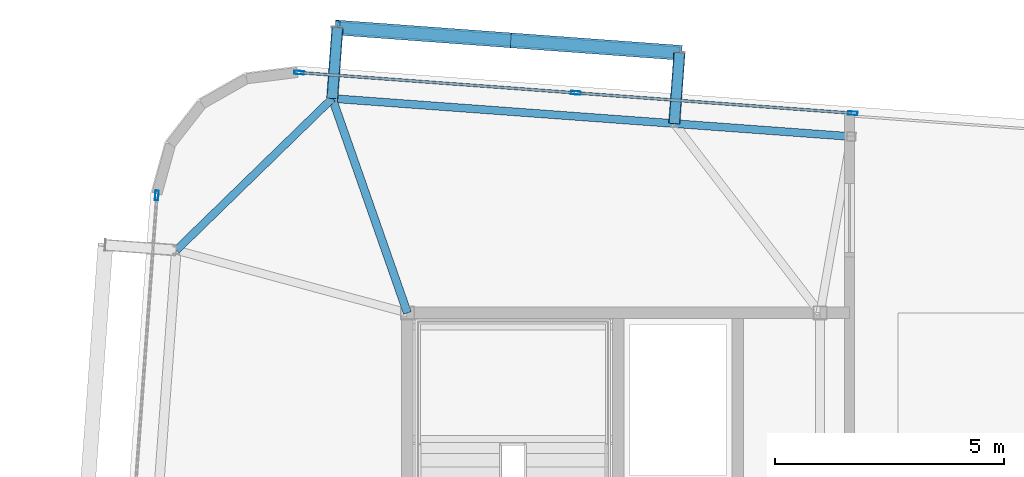
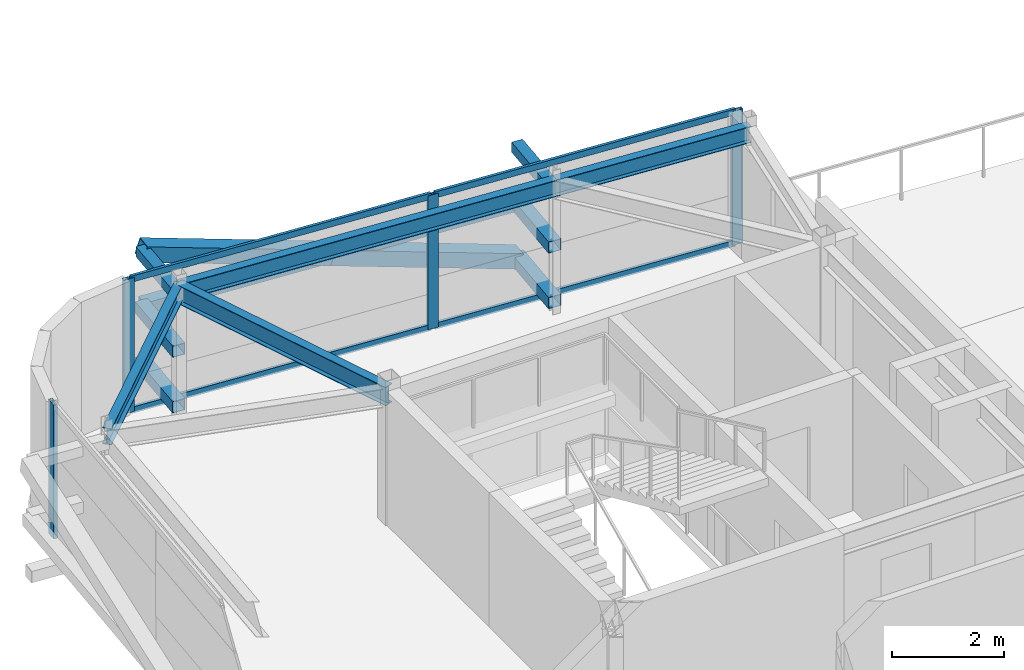
# One storey, part 21 of 36: 17 members, 4 beams, 2 elements without a shape of their own.
"""IFC4 building model written with IfcOpenShell, lengths in metres."""

from ifc_helpers import new_model, si_unit, direction, frame, origin, origin_2d, place, context, subcontext, project, spatial, hollow_rectangle, i_section, extrude, source, transform, mapped, material, layer, layer_set, material_profile, profile_set, type_object, element, aggregate, save


model = new_model("IFC4")

# Units and contexts
model_context = context("Model", 3, precision=1e-05, world=origin(), true_north=direction((0.0, 1.0)))
body_context = subcontext(model_context, "Body", "Model", "MODEL_VIEW")
ifc_project = project(units=[si_unit("LENGTHUNIT", "METRE"), si_unit("AREAUNIT", "SQUARE_METRE"), si_unit("VOLUMEUNIT", "CUBIC_METRE"), si_unit("PLANEANGLEUNIT", "RADIAN"), si_unit("MASSUNIT", "GRAM", prefix="KILO")], contexts=[model_context])

# Site, building, storey
site_placement = place(None, origin())
site = spatial("IfcSite", under=ifc_project, at=site_placement, CompositionType="ELEMENT")
building_placement = place(site_placement, origin())
building = spatial("IfcBuilding", under=site, at=building_placement, Name="Taldren Reach Tower", CompositionType="ELEMENT")
storey_placement = place(building_placement, frame((0.0, 0.0, 227.14990234375)))
storey = spatial("IfcBuildingStorey", under=building, at=storey_placement, Name="L69", CompositionType="ELEMENT", Elevation=227.14990234375)

# Members
ifc_material_1 = material(Name="Steel Gr 350 (C350L0)", Category="steel")
ifc_material_profile_1 = material_profile(ifc_material_1, hollow_rectangle(XDim=0.25, YDim=0.25, WallThickness=0.010009765625, at=origin_2d()), Name="250x250x10.0SHS")
ifc_profile_set_1 = profile_set([ifc_material_profile_1], Name="Steel Gr 350 (C350L0)")
member_type_1 = type_object("IfcMemberType", Name="MB-POST250", PredefinedType="POST", material=ifc_profile_set_1)
shared_shape_1 = source(origin(), body_context, "Body", "SweptSolid", [
    extrude(hollow_rectangle(XDim=0.25, YDim=0.25, WallThickness=0.010009765625, at=origin_2d()), origin(), (0.0, 0.0, 1.0), 1.5498046875),
])
for number, where, z_axis, x_axis, name in (
    (1, (17.35986328125, 36.678955078125, 0.22021484375), (0.073250797913, 0.997313551801, 0.0), (-0.997313551801, 0.073250797913, 0.0), "Exoskeleton base diaphragm tie strut B5-N1 L69"),
    (2, (17.35986328125, 36.678955078125, 1.43505859375), (0.073250797913, 0.997313551801, 0.0), (-0.997313551801, 0.073250797913, 0.0), "Exoskeleton mid-tier diaphragm tie B5-N1 L69"),
):
    element("IfcMember", number, at=place(storey_placement, frame(where, z_axis=z_axis, x_axis=x_axis)), inside=storey, type_object=member_type_1, Name=name, PredefinedType="POST", context=body_context, shape_type="MappedRepresentation", body=[
        mapped(shared_shape_1, transform((0.0, 0.0, 0.0), scale=1.0)),
    ])
shared_shape_2 = source(origin(), body_context, "Body", "SweptSolid", [
    extrude(hollow_rectangle(XDim=0.25, YDim=0.25, WallThickness=0.010009765625, at=origin_2d()), origin(), (0.0, 0.0, 1.0), 1.550048828125),
])
for number, where, z_axis, x_axis, name in (
    (3, (24.819580078125, 36.131103515625, 0.22021484375), (0.07323929162, 0.997314396849, 0.0), (-0.997314396849, 0.07323929162, 0.0), "Exoskeleton base diaphragm tie strut B5-N2 L69"),
    (4, (24.819580078125, 36.131103515625, 1.43505859375), (0.07323929162, 0.997314396849, 0.0), (-0.997314396849, 0.07323929162, 0.0), "Exoskeleton mid-tier diaphragm tie B5-N2 L69"),
):
    element("IfcMember", number, at=place(storey_placement, frame(where, z_axis=z_axis, x_axis=x_axis)), inside=storey, type_object=member_type_1, Name=name, PredefinedType="POST", context=body_context, shape_type="MappedRepresentation", body=[
        mapped(shared_shape_2, transform((0.0, 0.0, 0.0), scale=1.0)),
    ])
ifc_material_2 = material(Name="Steel Gr 450 (C450L0)", Category="steel")
ifc_material_profile_2 = material_profile(ifc_material_2, hollow_rectangle(XDim=0.219970703125, YDim=0.219970703125, WallThickness=0.00830078125, at=origin_2d()), Name="220x220x8.2SHS")
ifc_profile_set_2 = profile_set([ifc_material_profile_2], Name="Steel Gr 450 (C450L0)")
member_type_2 = type_object("IfcMemberType", Name="MB-TIE219", PredefinedType="STRUT", material=ifc_profile_set_2)
shared_shape_3 = source(origin(), body_context, "Body", "SweptSolid", [
    extrude(hollow_rectangle(XDim=0.219970703125, YDim=0.219970703125, WallThickness=0.00830078125, at=origin_2d()), origin(), (0.0, 0.0, 1.0), 1.5498046875),
])
member_1_placement = place(storey_placement, frame((17.35986328125, 36.678955078125, 2.650146484375), z_axis=(0.073250797913, 0.997313551801, 0.0), x_axis=(-0.997313551801, 0.073250797913, 0.0)))
element("IfcMember", 5, at=member_1_placement, inside=storey, type_object=member_type_2, Name="Exoskeleton diaphragm tie strut B5-N1 L69", PredefinedType="STRUT", context=body_context, shape_type="MappedRepresentation", body=[
    mapped(shared_shape_3, transform((0.0, 0.0, 0.0), scale=1.0)),
])
shared_shape_4 = source(origin(), body_context, "Body", "SweptSolid", [
    extrude(hollow_rectangle(XDim=0.219970703125, YDim=0.219970703125, WallThickness=0.00830078125, at=origin_2d()), origin(), (0.0, 0.0, 1.0), 1.550048828125),
])
member_2_placement = place(storey_placement, frame((24.819580078125, 36.131103515625, 2.650146484375), z_axis=(0.07323929162, 0.997314396849, 0.0), x_axis=(-0.997314396849, 0.07323929162, 0.0)))
element("IfcMember", 6, at=member_2_placement, inside=storey, type_object=member_type_2, Name="Exoskeleton diaphragm tie strut B5-N2 L69", PredefinedType="STRUT", context=body_context, shape_type="MappedRepresentation", body=[
    mapped(shared_shape_4, transform((0.0, 0.0, 0.0), scale=1.0)),
])

# Beams
ifc_material_3 = material(Name="Steel Gr 350 (350PLUS)", Category="steel")
ifc_material_profile_3 = material_profile(ifc_material_3, i_section(OverallWidth=0.172119140625, OverallDepth=0.35888671875, WebThickness=0.008056640625, FlangeThickness=0.012939453125, at=origin_2d()), Name="360UB56.7")
ifc_profile_set_3 = profile_set([ifc_material_profile_3], Name="Steel Gr 350 (350PLUS)")
beam_type_1 = type_object("IfcBeamType", Name="SP-UB360", PredefinedType="SPANDREL", material=ifc_profile_set_3)
shared_shape_5 = source(origin(), body_context, "Body", "SweptSolid", [
    extrude(i_section(OverallWidth=0.172119140625, OverallDepth=0.35888671875, WebThickness=0.008056640625, FlangeThickness=0.012939453125, at=origin_2d()), origin(), (0.0, 0.0, 1.0), 7.479736328125),
])
beam_1_placement = place(storey_placement, frame((24.819580078125, 36.131103515625, 2.75048828125), z_axis=(-0.997314045547, 0.073244075215, 0.0), x_axis=(-0.073244075215, -0.997314045547, 0.0)))
element("IfcBeam", 7, at=beam_1_placement, inside=storey, type_object=beam_type_1, Name="Perimeter spandrel B5 N2-N1 L69", PredefinedType="SPANDREL", context=body_context, shape_type="MappedRepresentation", body=[
    mapped(shared_shape_5, transform((0.0, 0.0, 0.0), scale=1.0)),
])
shared_shape_6 = source(origin(), body_context, "Body", "SweptSolid", [
    extrude(i_section(OverallWidth=0.172119140625, OverallDepth=0.35888671875, WebThickness=0.008056640625, FlangeThickness=0.012939453125, at=origin_2d()), origin(), (0.0, 0.0, 1.0), 4.74609375),
])
beam_2_placement = place(storey_placement, frame((17.35986328125, 36.678955078125, 2.75048828125), z_axis=(-0.716711338436, -0.697369957309, 0.0), x_axis=(0.697369957309, -0.716711338436, 0.0)))
element("IfcBeam", 8, at=beam_2_placement, inside=storey, type_object=beam_type_1, Name="Perimeter spandrel B5 N1-W3 L69", PredefinedType="SPANDREL", context=body_context, shape_type="MappedRepresentation", body=[
    mapped(shared_shape_6, transform((0.0, 0.0, 0.0), scale=1.0)),
])
shared_shape_7 = source(origin(), body_context, "Body", "SweptSolid", [
    extrude(i_section(OverallWidth=0.172119140625, OverallDepth=0.35888671875, WebThickness=0.008056640625, FlangeThickness=0.012939453125, at=origin_2d()), origin(), (0.0, 0.0, 1.0), 3.8701171875),
])
beam_3_placement = place(storey_placement, frame((28.67919921875, 35.84765625, 2.75048828125), z_axis=(-0.997314202545, 0.073241937451, 0.0), x_axis=(-0.073241937451, -0.997314202545, 0.0)))
element("IfcBeam", 9, at=beam_3_placement, inside=storey, type_object=beam_type_1, Name="Perimeter spandrel B5 PJN1-N2 L69", PredefinedType="SPANDREL", context=body_context, shape_type="MappedRepresentation", body=[
    mapped(shared_shape_7, transform((0.0, 0.0, 0.0), scale=1.0)),
])
ifc_material_profile_4 = material_profile(ifc_material_3, i_section(OverallWidth=0.177978515625, OverallDepth=0.406005859375, WebThickness=0.0078125, FlangeThickness=0.0126953125, at=origin_2d()), Name="410UB59.7")
ifc_profile_set_4 = profile_set([ifc_material_profile_4], Name="Steel Gr 350 (350PLUS)")
beam_type_2 = type_object("IfcBeamType", Name="BM-UB410", PredefinedType="BEAM", material=ifc_profile_set_4)
shared_shape_8 = source(origin(), body_context, "Body", "SweptSolid", [
    extrude(i_section(OverallWidth=0.177978515625, OverallDepth=0.406005859375, WebThickness=0.0078125, FlangeThickness=0.0126953125, at=origin_2d()), origin(), (0.0, 0.0, 1.0), 4.9580078125),
])
beam_4_placement = place(storey_placement, frame((19.0, 32.0, 2.72705078125), z_axis=(-0.330800025288, 0.943700875951, 0.0), x_axis=(-0.943700875951, -0.330800025288, 0.0)))
element("IfcBeam", 10, at=beam_4_placement, inside=storey, type_object=beam_type_2, Name="Primary floor girder B5-N1 L69", PredefinedType="BEAM", context=body_context, shape_type="MappedRepresentation", body=[
    mapped(shared_shape_8, transform((0.0, 0.0, 0.0), scale=1.0)),
])

# Members
ifc_material_profile_5 = material_profile(ifc_material_2, hollow_rectangle(XDim=0.324951171875, YDim=0.324951171875, WallThickness=0.0126953125, at=origin_2d()), Name="325x325x12.7SHS")
ifc_profile_set_5 = profile_set([ifc_material_profile_5], Name="Steel Gr 450 (C450L0)")
member_type_3 = type_object("IfcMemberType", Name="MB-BR324", PredefinedType="BRACE", material=ifc_profile_set_5)
shared_shape_9 = source(origin(), body_context, "Body", "SweptSolid", [
    extrude(hollow_rectangle(XDim=0.324951171875, YDim=0.324951171875, WallThickness=0.0126953125, at=origin_2d()), origin(), (0.0, 0.0, 1.0), 3.932373046875),
])
member_3_placement = place(storey_placement, frame((21.203369140625, 37.95068359375, 1.43505859375), z_axis=(-0.948511132845, 0.069657644394, 0.308989390507), x_axis=(-0.07324169103, -0.997314220642, 0.0)))
element("IfcMember", 11, at=member_3_placement, inside=storey, type_object=member_type_3, Name="Exoskeleton Diagrid Brace B5-N1 L69", PredefinedType="BRACE", context=body_context, shape_type="MappedRepresentation", body=[
    mapped(shared_shape_9, transform((0.0, 0.0, 0.0), scale=1.0)),
])
shared_shape_10 = source(origin(), body_context, "Body", "SweptSolid", [
    extrude(hollow_rectangle(XDim=0.324951171875, YDim=0.324951171875, WallThickness=0.0126953125, at=origin_2d()), origin(), (0.0, 0.0, 1.0), 3.93212890625),
])
member_4_placement = place(storey_placement, frame((24.93310546875, 37.677001953125, 0.22021484375), z_axis=(-0.948527200613, 0.069601295535, 0.308952762339), x_axis=(-0.073181527281, -0.997318637179, 0.0)))
element("IfcMember", 12, at=member_4_placement, inside=storey, type_object=member_type_3, Name="Exoskeleton Diagrid Brace B5-N1 L69", PredefinedType="BRACE", context=body_context, shape_type="MappedRepresentation", body=[
    mapped(shared_shape_10, transform((0.0, 0.0, 0.0), scale=1.0)),
])
shared_shape_11 = source(origin(), body_context, "Body", "SweptSolid", [
    extrude(hollow_rectangle(XDim=0.25, YDim=0.25, WallThickness=0.010009765625, at=origin_2d()), origin(), (0.0, 0.0, 1.0), 7.479736328125),
])
member_5_placement = place(storey_placement, frame((17.473388671875, 38.224609375, 1.43505859375), z_axis=(0.997316429287, -0.07321161024, 0.0), x_axis=(0.07321161024, 0.997316429287, 0.0)))
element("IfcMember", 13, at=member_5_placement, inside=storey, type_object=member_type_1, Name="Exoskeleton mid-height ring chord B5-N1 L69", PredefinedType="POST", context=body_context, shape_type="MappedRepresentation", body=[
    mapped(shared_shape_11, transform((0.0, 0.0, 0.0), scale=1.0)),
])

# Curtain wall, members
ifc_material_4 = material(Name="Aluminium and Low-E Glass Unitised System", Category="aluminium")
ifc_layer = layer(ifc_material_4, 0.159912109375)
ifc_layer_set = layer_set([ifc_layer], Name="Aluminium and Low-E Glass Unitised System")
curtain_wall_type = type_object("IfcCurtainWallType", Name="CW-SYS-7", PredefinedType="NOTDEFINED", material=ifc_layer_set)
curtain_wall_1_placement = place(storey_placement, origin())
curtain_wall_1 = element("IfcCurtainWall", 14, at=curtain_wall_1_placement, inside=storey, type_object=curtain_wall_type, Name="Unitised curtain wall CW-L69-NWING", PredefinedType="NOTDEFINED")
ifc_material_5 = material(Name="Anodised Aluminium 6063-T6", Category="aluminium")
ifc_material_profile_6 = material_profile(ifc_material_5, hollow_rectangle(XDim=0.074951171875, YDim=0.2099609375, WallThickness=0.00439453125, at=origin_2d()), Name="ALU-210x75x4.5RHS")
ifc_profile_set_6 = profile_set([ifc_material_profile_6], Name="Anodised Aluminium 6063-T6")
member_type_4 = type_object("IfcMemberType", Name="CW-MUL-200", PredefinedType="MULLION", material=ifc_profile_set_6)
shared_shape_12 = source(origin(), body_context, "Body", "SweptSolid", [
    extrude(hollow_rectangle(XDim=0.074951171875, YDim=0.2099609375, WallThickness=0.00439453125, at=origin_2d()), origin(), (0.0, 0.0, 1.0), 2.93017578125),
])
member_6_placement = place(storey_placement, frame((28.712646484375, 36.3564453125, 0.0), z_axis=(0.0, 0.0, 1.0), x_axis=(-0.073237944038, -0.99731449581, 0.0)))
member_6 = element("IfcMember", 15, at=member_6_placement, type_object=member_type_4, Name="CW-7 mullion 1", PredefinedType="MULLION", context=body_context, shape_type="MappedRepresentation", body=[
    mapped(shared_shape_12, transform((0.0, 0.0, 0.0), scale=1.0)),
])
member_7_placement = place(storey_placement, frame((22.674560546875, 36.800048828125, 0.0), z_axis=(0.0, 0.0, 1.0), x_axis=(-0.073237944038, -0.99731449581, 0.0)))
member_7 = element("IfcMember", 16, at=member_7_placement, type_object=member_type_4, Name="CW-7 mullion 2", PredefinedType="MULLION", context=body_context, shape_type="MappedRepresentation", body=[
    mapped(shared_shape_12, transform((0.0, 0.0, 0.0), scale=1.0)),
])
member_8_placement = place(storey_placement, frame((16.63671875, 37.243408203125, 0.0), z_axis=(0.0, 0.0, 1.0), x_axis=(-0.073237944038, -0.99731449581, 0.0)))
member_8 = element("IfcMember", 17, at=member_8_placement, type_object=member_type_4, Name="CW-7 mullion 3", PredefinedType="MULLION", context=body_context, shape_type="MappedRepresentation", body=[
    mapped(shared_shape_12, transform((0.0, 0.0, 0.0), scale=1.0)),
])

# Curtain wall, member
curtain_wall_2_placement = place(storey_placement, origin())
curtain_wall_2 = element("IfcCurtainWall", 18, at=curtain_wall_2_placement, inside=storey, type_object=curtain_wall_type, Name="Unitised curtain wall CW-L69-W", PredefinedType="NOTDEFINED")
member_9_placement = place(storey_placement, frame((13.53466796875, 34.56591796875, 0.0), z_axis=(0.0, 0.0, 1.0), x_axis=(0.997314470951, -0.073238282558, 0.0)))
member_9 = element("IfcMember", 19, at=member_9_placement, type_object=member_type_4, Name="CW-7 mullion 1", PredefinedType="MULLION", context=body_context, shape_type="MappedRepresentation", body=[
    mapped(shared_shape_12, transform((0.0, 0.0, 0.0), scale=1.0)),
])
aggregate(curtain_wall_2, [member_9])

# Member
ifc_material_profile_7 = material_profile(ifc_material_5, hollow_rectangle(XDim=0.06005859375, YDim=0.135009765625, WallThickness=0.00341796875, at=origin_2d()), Name="ALU-135x60x3.5RHS")
ifc_profile_set_7 = profile_set([ifc_material_profile_7], Name="Anodised Aluminium 6063-T6")
member_type_5 = type_object("IfcMemberType", Name="CW-TRN-150", PredefinedType="USERDEFINED", material=ifc_profile_set_7)
shared_shape_13 = source(origin(), body_context, "Body", "SweptSolid", [
    extrude(hollow_rectangle(XDim=0.06005859375, YDim=0.135009765625, WallThickness=0.00341796875, at=origin_2d()), origin(), (0.0, 0.0, 1.0), 5.979248046875),
])
member_10_placement = place(storey_placement, frame((28.67529296875, 36.359375, 0.030029296875), z_axis=(-0.997316444899, 0.073211397572, 0.0), x_axis=(-0.073211397572, -0.997316444899, 0.0)))
member_10 = element("IfcMember", 20, at=member_10_placement, type_object=member_type_5, Name="CW-7 transom 1.1", ObjectType="TRANSOM", PredefinedType="USERDEFINED", context=body_context, shape_type="MappedRepresentation", body=[
    mapped(shared_shape_13, transform((0.0, 0.0, 0.0), scale=1.0)),
])

member_11_placement = place(storey_placement, frame((28.67529296875, 36.359375, 2.900146484375), z_axis=(-0.997316444899, 0.073211397572, 0.0), x_axis=(-0.073211397572, -0.997316444899, 0.0)))
member_11 = element("IfcMember", 21, at=member_11_placement, type_object=member_type_5, Name="CW-7 transom 1.2", ObjectType="TRANSOM", PredefinedType="USERDEFINED", context=body_context, shape_type="MappedRepresentation", body=[
    mapped(shared_shape_13, transform((0.0, 0.0, 0.0), scale=1.0)),
])

member_12_placement = place(storey_placement, frame((22.63720703125, 36.802734375, 0.030029296875), z_axis=(-0.997316444899, 0.073211397572, 0.0), x_axis=(-0.073211397572, -0.997316444899, 0.0)))
member_12 = element("IfcMember", 22, at=member_12_placement, type_object=member_type_5, Name="CW-7 transom 2.1", ObjectType="TRANSOM", PredefinedType="USERDEFINED", context=body_context, shape_type="MappedRepresentation", body=[
    mapped(shared_shape_13, transform((0.0, 0.0, 0.0), scale=1.0)),
])

member_13_placement = place(storey_placement, frame((22.63720703125, 36.802734375, 2.900146484375), z_axis=(-0.997316444899, 0.073211397572, 0.0), x_axis=(-0.073211397572, -0.997316444899, 0.0)))
member_13 = element("IfcMember", 23, at=member_13_placement, type_object=member_type_5, Name="CW-7 transom 2.2", ObjectType="TRANSOM", PredefinedType="USERDEFINED", context=body_context, shape_type="MappedRepresentation", body=[
    mapped(shared_shape_13, transform((0.0, 0.0, 0.0), scale=1.0)),
])

aggregate(curtain_wall_1, [member_6, member_7, member_8, member_10, member_11, member_12, member_13])

save(model, "model.ifc")
